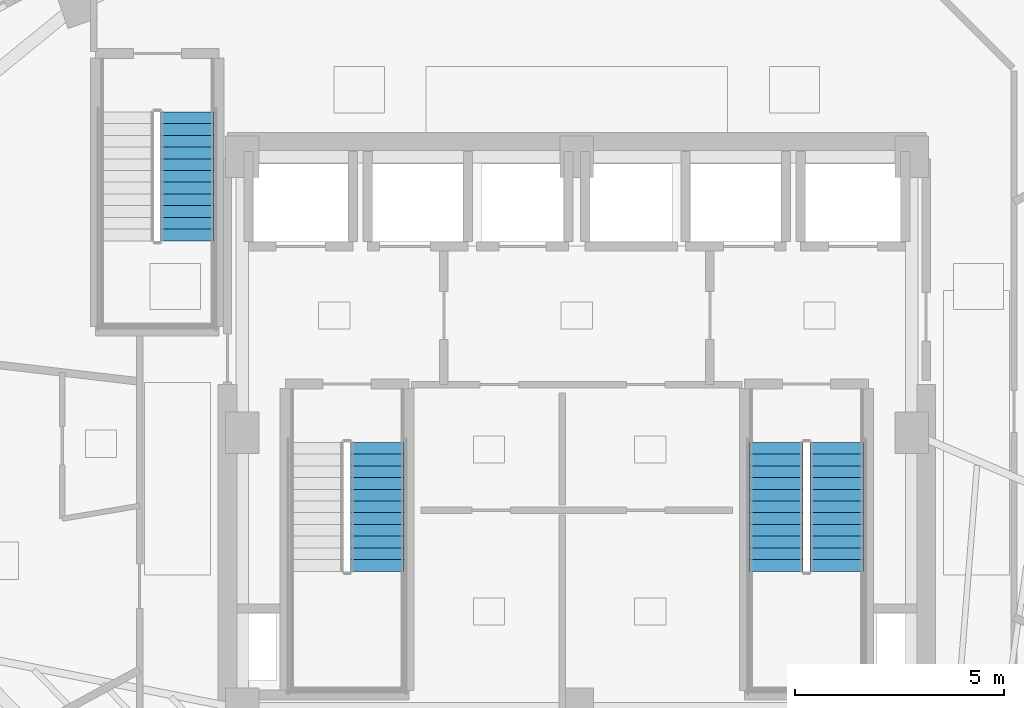
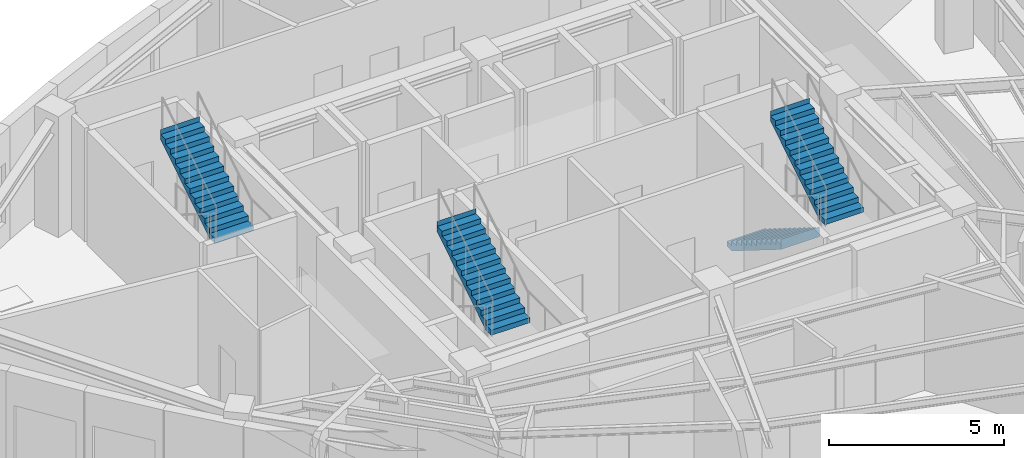
# One storey, part 6 of 9: 4 stair flights, 3 elements without a shape of their own.
"""IFC4 building model written with IfcOpenShell, lengths in metres."""

import ifcopenshell
import ifcopenshell.guid

model = None  # the IFC model being written
_history = None  # IfcOwnerHistory: only IFC2X3 demands one
_inside = {}  # id of a spatial element -> (the spatial element, [elements in it])
_under = {}  # id of a project, library or spatial element -> (it, [spatial elements below it])
_declared = {}  # id of a project -> (the project, [libraries it declares])
_typed = {}  # id of a type object -> (the type object, [elements of that type])
_made_of = {}  # id of a material, layer set ... -> (it, [elements and type objects made of it])


def new_model(schema):
    """Start an empty IFC model of exactly this schema.

    Asked for "IFC4X3", IfcOpenShell would pick the latest addendum, in which some entities
    have other attributes; the version numbers below select the first issue.
    IFC2X3 requires an IfcOwnerHistory on every rooted entity: one is made here for all.
    """
    global model, _history
    if schema == "IFC4X3":
        model = ifcopenshell.file(schema_version=(4, 3, 0, 0))
    else:
        model = ifcopenshell.file(schema=schema)
    _inside.clear()
    _under.clear()
    _declared.clear()
    _typed.clear()
    _made_of.clear()
    _history = None
    if model.schema == "IFC2X3":
        org = make("IfcOrganization", Name="unknown")
        user = make(
            "IfcPersonAndOrganization",
            ThePerson=make("IfcPerson", FamilyName="unknown"),
            TheOrganization=org,
        )
        app = make(
            "IfcApplication",
            ApplicationDeveloper=org,
            Version="unknown",
            ApplicationFullName="unknown",
            ApplicationIdentifier="unknown",
        )
        _history = make(
            "IfcOwnerHistory",
            OwningUser=user,
            OwningApplication=app,
            ChangeAction="ADDED",
            CreationDate=0,
        )
    return model


def make(cls, **values):
    """One entity of the class cls with the attributes given. An attribute that is None is left unset."""
    return model.create_entity(
        cls, **{name: value for name, value in values.items() if value is not None}
    )


def rooted(cls, **values):
    """An entity with a GlobalId (a new one), such as an element, a storey or a relation."""
    return make(cls, GlobalId=ifcopenshell.guid.new(), OwnerHistory=_history, **values)


def si_unit(unit_type, name, prefix=None):
    """IfcSIUnit, for example si_unit("LENGTHUNIT", "METRE", prefix="MILLI")."""
    return make("IfcSIUnit", UnitType=unit_type, Prefix=prefix, Name=name)


def assignment(units):
    """IfcUnitAssignment: the units of a project."""
    return None if units is None else make("IfcUnitAssignment", Units=units)


def point(xyz):
    """IfcCartesianPoint."""
    return None if xyz is None else make("IfcCartesianPoint", Coordinates=xyz)


def direction(xyz):
    """IfcDirection."""
    return None if xyz is None else make("IfcDirection", DirectionRatios=xyz)


def frame(location, z_axis=None, x_axis=None):
    """IfcAxis2Placement3D, a coordinate frame: its origin and axes. An axis left out is left unset."""
    return make(
        "IfcAxis2Placement3D",
        Location=point(location),
        Axis=direction(z_axis),
        RefDirection=direction(x_axis),
    )


def origin():
    """The frame at (0, 0, 0) with its axes left unset."""
    return frame((0.0, 0.0, 0.0))


def place(relative_to, where):
    """IfcLocalPlacement: puts the frame where relative to a parent placement (None: the world)."""
    return make(
        "IfcLocalPlacement", PlacementRelTo=relative_to, RelativePlacement=where
    )


def context(
    kind, dimensions, precision=None, world=None, true_north=None, identifier=None
):
    """IfcGeometricRepresentationContext, for example the 3D "Model" context."""
    return make(
        "IfcGeometricRepresentationContext",
        ContextIdentifier=identifier,
        ContextType=kind,
        CoordinateSpaceDimension=dimensions,
        Precision=precision,
        WorldCoordinateSystem=world,
        TrueNorth=true_north,
    )


def subcontext(parent, identifier, kind, view, scale=None):
    """IfcGeometricRepresentationSubContext, for example "Body" below "Model"."""
    return make(
        "IfcGeometricRepresentationSubContext",
        ContextIdentifier=identifier,
        ContextType=kind,
        ParentContext=parent,
        TargetScale=scale,
        TargetView=view,
    )


def project(units=None, contexts=None):
    """IfcProject with its units and contexts."""
    return rooted(
        "IfcProject",
        Name="project",
        RepresentationContexts=contexts,
        UnitsInContext=assignment(units),
    )


def spatial(cls, under=None, at=None, **own):
    """A site, building, storey or space (cls), placed at a placement, below another one or the project."""
    s = rooted(cls, ObjectPlacement=at, **own)
    if under is not None:
        _under.setdefault(under.id(), (under, []))[1].append(s)
    return s


def polyline(points):
    """IfcPolyline through the points."""
    return make("IfcPolyline", Points=[point(p) for p in points])


def outline(outer, holes=None, kind="AREA"):
    """IfcArbitraryClosedProfileDef: a profile drawn as a closed curve; with holes, ...WithVoids."""
    if holes is None:
        return make("IfcArbitraryClosedProfileDef", ProfileType=kind, OuterCurve=outer)
    return make(
        "IfcArbitraryProfileDefWithVoids",
        ProfileType=kind,
        OuterCurve=outer,
        InnerCurves=holes,
    )


def extrude(swept, where, along, depth):
    """IfcExtrudedAreaSolid: the profile swept, set in the frame where, extruded along a direction by depth."""
    return make(
        "IfcExtrudedAreaSolid",
        SweptArea=swept,
        Position=where,
        ExtrudedDirection=direction(along),
        Depth=depth,
    )


def shape(context_of_items, identifier, shape_type, items):
    """IfcShapeRepresentation: the items that make up one representation, for example the "Body"."""
    return make(
        "IfcShapeRepresentation",
        ContextOfItems=context_of_items,
        RepresentationIdentifier=identifier,
        RepresentationType=shape_type,
        Items=items,
    )


def material(Name=None, Category=None):
    """IfcMaterial."""
    return make("IfcMaterial", Name=Name, Category=Category)


def made_of(thing, what):
    """Note that an element or type object is made of a material, layer set ...; save() writes the relation."""
    if what is not None:
        _made_of.setdefault(what.id(), (what, []))[1].append(thing)
    return thing


def type_object(cls, material=None, **own):
    """A type object (cls), such as IfcWallType, which elements share."""
    return made_of(rooted(cls, **own), material)


def element(
    cls,
    number,
    at=None,
    inside=None,
    cuts=None,
    type_object=None,
    material=None,
    context=None,
    identifier="Body",
    shape_type=None,
    held_by="IfcProductDefinitionShape",
    body=None,
    shapes=None,
    **own,
):
    """One element of the class cls, such as IfcWall. Its Tag is "e" and its number.

    at: its placement. inside: the storey or other place that contains it. cuts: it is an
    opening in that element (IfcRelVoidsElement). A single representation is given by context,
    identifier, shape_type and body (its items); several are given by shapes. held_by: the class
    of the entity that holds the representations. save() writes the other relations.
    """
    e = rooted(cls, Tag="e%d" % number, ObjectPlacement=at, **own)
    if body is not None:
        shapes = [shape(context, identifier, shape_type, body)]
    if shapes is not None:
        e.Representation = make(held_by, Representations=shapes)
    if inside is not None:
        _inside.setdefault(inside.id(), (inside, []))[1].append(e)
    if cuts is not None:
        rooted(
            "IfcRelVoidsElement", RelatingBuildingElement=cuts, RelatedOpeningElement=e
        )
    if type_object is not None:
        _typed.setdefault(type_object.id(), (type_object, []))[1].append(e)
    return made_of(e, material)


def aggregate(whole, parts):
    """IfcRelAggregates: a whole, such as a stair, and the parts it consists of."""
    return rooted("IfcRelAggregates", RelatingObject=whole, RelatedObjects=parts)


def save(model, path):
    """Write the relations noted so far, then the file.

    IfcRelAggregates (storeys below a building ...), IfcRelContainedInSpatialStructure (elements
    in a storey), IfcRelDefinesByType, IfcRelAssociatesMaterial and IfcRelDeclares: one each for
    every whole, place, type object, material and project.
    """
    for whole, parts in _under.values():
        aggregate(whole, parts)
    for where, things in _inside.values():
        rooted(
            "IfcRelContainedInSpatialStructure",
            RelatedElements=things,
            RelatingStructure=where,
        )
    for kind, things in _typed.values():
        rooted("IfcRelDefinesByType", RelatedObjects=things, RelatingType=kind)
    for what, things in _made_of.values():
        rooted("IfcRelAssociatesMaterial", RelatedObjects=things, RelatingMaterial=what)
    for by, libraries in _declared.values():
        rooted("IfcRelDeclares", RelatingContext=by, RelatedDefinitions=libraries)
    model.write(path)


model = new_model("IFC4")

# Units and contexts
model_context = context("Model", 3, precision=1e-05, world=origin(), true_north=direction((0.0, 1.0)))
body_context = subcontext(model_context, "Body", "Model", "MODEL_VIEW")
ifc_project = project(units=[si_unit("LENGTHUNIT", "METRE"), si_unit("AREAUNIT", "SQUARE_METRE"), si_unit("VOLUMEUNIT", "CUBIC_METRE"), si_unit("PLANEANGLEUNIT", "RADIAN"), si_unit("MASSUNIT", "GRAM", prefix="KILO")], contexts=[model_context])

# Site, building, storey
site_placement = place(None, origin())
site = spatial("IfcSite", under=ifc_project, at=site_placement, CompositionType="ELEMENT")
building_placement = place(site_placement, origin())
building = spatial("IfcBuilding", under=site, at=building_placement, Name="Ndelora Gate Hotel", CompositionType="ELEMENT")
storey_placement = place(building_placement, frame((0.0, 0.0, 264.39990234375)))
storey = spatial("IfcBuildingStorey", under=building, at=storey_placement, Name="L66", CompositionType="ELEMENT", Elevation=264.39990234375)

# Stair, stair flight
ifc_material = material(Name="Precast concrete C40/50", Category="concrete")
stair_type = type_object("IfcStairType", Name="STR-DOG-CORE", PredefinedType="HALF_TURN_STAIR", material=ifc_material)
stair_1_placement = place(storey_placement, origin())
stair_1 = element("IfcStair", 1, at=stair_1_placement, inside=storey, type_object=stair_type, Name="L66 Protected Core Exit Stair ST4", PredefinedType="HALF_TURN_STAIR")
stair_flight_type = type_object("IfcStairFlightType", Name="STF-PRECAST", PredefinedType="STRAIGHT", material=ifc_material)
stair_flight_1_placement = place(storey_placement, frame((-4.77001953125, -3.31005859375, 2.10009765625), z_axis=(0.0, 0.0, 1.0), x_axis=(0.0, 1.0, 0.0)))
stair_flight_1 = element("IfcStairFlight", 2, at=stair_flight_1_placement, type_object=stair_flight_type, Name="ST4 flight 2", NumberOfRisers=12, NumberOfTreads=11, PredefinedType="STRAIGHT", RiserHeight=0.175, TreadLength=0.28, context=body_context, shape_type="SweptSolid", body=[
    extrude(outline(polyline([(-0.00048828125, 0.0), (-0.00048828125, 0.175048828125), (0.0, 0.175048828125), (0.280029296875, 0.175048828125), (0.280029296875, 0.35009765625), (0.56005859375, 0.35009765625), (0.56005859375, 0.52490234375), (0.840087890625, 0.52490234375), (0.840087890625, 0.699951171875), (1.1201171875, 0.699951171875), (1.1201171875, 0.875), (1.39990234375, 0.875), (1.39990234375, 1.050048828125), (1.679931640625, 1.050048828125), (1.679931640625, 1.22509765625), (1.9599609375, 1.22509765625), (1.9599609375, 1.39990234375), (2.239990234375, 1.39990234375), (2.239990234375, 1.574951171875), (2.52001953125, 1.574951171875), (2.52001953125, 1.75), (2.800048828125, 1.75), (2.800048828125, 1.925048828125), (3.080078125, 1.925048828125), (3.080078125, 2.10009765625), (3.08056640625, 2.10009765625), (3.08056640625, 1.919921875), (3.080078125, 1.748291015625), (0.28271484375, 0.0), (-0.00048828125, 0.0)])), frame((0.0, 0.64013671875, 0.0), z_axis=(0.0, -1.0, 0.0), x_axis=(1.0, 0.0, 0.0)), (0.0, 0.0, 1.0), 1.280029296875),
])
aggregate(stair_1, [stair_flight_1])

# Stair, stair flights
stair_2_placement = place(storey_placement, origin())
stair_2 = element("IfcStair", 3, at=stair_2_placement, inside=storey, type_object=stair_type, Name="L66 Protected Core Exit Stair ST5", PredefinedType="HALF_TURN_STAIR")
stair_flight_2_placement = place(storey_placement, frame((4.77001953125, -0.22998046875, 0.0), z_axis=(0.0, 0.0, 1.0), x_axis=(0.0, -1.0, 0.0)))
stair_flight_2 = element("IfcStairFlight", 4, at=stair_flight_2_placement, type_object=stair_flight_type, Name="ST5 flight 1", NumberOfRisers=12, NumberOfTreads=11, PredefinedType="STRAIGHT", RiserHeight=0.175, TreadLength=0.28, context=body_context, shape_type="SweptSolid", body=[
    extrude(outline(polyline([(-0.00048828125, 0.0), (-0.00048828125, 0.175048828125), (0.0, 0.175048828125), (0.280029296875, 0.175048828125), (0.280029296875, 0.35009765625), (0.56005859375, 0.35009765625), (0.56005859375, 0.52490234375), (0.840087890625, 0.52490234375), (0.840087890625, 0.699951171875), (1.1201171875, 0.699951171875), (1.1201171875, 0.875), (1.39990234375, 0.875), (1.39990234375, 1.050048828125), (1.679931640625, 1.050048828125), (1.679931640625, 1.22509765625), (1.9599609375, 1.22509765625), (1.9599609375, 1.39990234375), (2.239990234375, 1.39990234375), (2.239990234375, 1.574951171875), (2.52001953125, 1.574951171875), (2.52001953125, 1.75), (2.800048828125, 1.75), (2.800048828125, 1.925048828125), (3.080078125, 1.925048828125), (3.080078125, 2.10009765625), (3.08056640625, 2.10009765625), (3.08056640625, 1.919921875), (3.080078125, 1.748291015625), (0.28271484375, 0.0), (-0.00048828125, 0.0)])), frame((0.0, 0.64013671875, 0.0), z_axis=(0.0, -1.0, 0.0), x_axis=(1.0, 0.0, 0.0)), (0.0, 0.0, 1.0), 1.280029296875),
])
stair_flight_3_placement = place(storey_placement, frame((6.2099609375, -3.31005859375, 2.10009765625), z_axis=(0.0, 0.0, 1.0), x_axis=(0.0, 1.0, 0.0)))
stair_flight_3 = element("IfcStairFlight", 5, at=stair_flight_3_placement, type_object=stair_flight_type, Name="ST5 flight 2", NumberOfRisers=12, NumberOfTreads=11, PredefinedType="STRAIGHT", RiserHeight=0.175, TreadLength=0.28, context=body_context, shape_type="SweptSolid", body=[
    extrude(outline(polyline([(-0.00048828125, 0.0), (-0.00048828125, 0.175048828125), (0.0, 0.175048828125), (0.280029296875, 0.175048828125), (0.280029296875, 0.35009765625), (0.56005859375, 0.35009765625), (0.56005859375, 0.52490234375), (0.840087890625, 0.52490234375), (0.840087890625, 0.699951171875), (1.1201171875, 0.699951171875), (1.1201171875, 0.875), (1.39990234375, 0.875), (1.39990234375, 1.050048828125), (1.679931640625, 1.050048828125), (1.679931640625, 1.22509765625), (1.9599609375, 1.22509765625), (1.9599609375, 1.39990234375), (2.239990234375, 1.39990234375), (2.239990234375, 1.574951171875), (2.52001953125, 1.574951171875), (2.52001953125, 1.75), (2.800048828125, 1.75), (2.800048828125, 1.925048828125), (3.080078125, 1.925048828125), (3.080078125, 2.10009765625), (3.08056640625, 2.10009765625), (3.08056640625, 1.919921875), (3.080078125, 1.748291015625), (0.28271484375, 0.0), (-0.00048828125, 0.0)])), frame((0.0, 0.64013671875, 0.0), z_axis=(0.0, -1.0, 0.0), x_axis=(1.0, 0.0, 0.0)), (0.0, 0.0, 1.0), 1.280029296875),
])
aggregate(stair_2, [stair_flight_2, stair_flight_3])

# Stair, stair flight
stair_3_placement = place(storey_placement, origin())
stair_3 = element("IfcStair", 6, at=stair_3_placement, inside=storey, type_object=stair_type, Name="L66 Crown Observation Exit Stair ST6", PredefinedType="HALF_TURN_STAIR")
stair_flight_4_placement = place(storey_placement, frame((-9.31005859375, 4.590087890625, 2.10009765625), z_axis=(0.0, 0.0, 1.0), x_axis=(0.0, 1.0, 0.0)))
stair_flight_4 = element("IfcStairFlight", 7, at=stair_flight_4_placement, type_object=stair_flight_type, Name="ST6 flight 2", NumberOfRisers=12, NumberOfTreads=11, PredefinedType="STRAIGHT", RiserHeight=0.175, TreadLength=0.28, context=body_context, shape_type="SweptSolid", body=[
    extrude(outline(polyline([(-0.00048828125, 0.0), (-0.00048828125, 0.175048828125), (0.0, 0.175048828125), (0.280029296875, 0.175048828125), (0.280029296875, 0.35009765625), (0.56005859375, 0.35009765625), (0.56005859375, 0.52490234375), (0.840087890625, 0.52490234375), (0.840087890625, 0.699951171875), (1.1201171875, 0.699951171875), (1.1201171875, 0.875), (1.39990234375, 0.875), (1.39990234375, 1.050048828125), (1.679931640625, 1.050048828125), (1.679931640625, 1.22509765625), (1.9599609375, 1.22509765625), (1.9599609375, 1.39990234375), (2.239990234375, 1.39990234375), (2.239990234375, 1.574951171875), (2.52001953125, 1.574951171875), (2.52001953125, 1.75), (2.800048828125, 1.75), (2.800048828125, 1.925048828125), (3.080078125, 1.925048828125), (3.080078125, 2.10009765625), (3.08056640625, 2.10009765625), (3.08056640625, 1.919921875), (3.080078125, 1.748291015625), (0.28271484375, 0.0), (-0.00048828125, 0.0)])), frame((0.0, 0.64013671875, 0.0), z_axis=(0.0, -1.0, 0.0), x_axis=(1.0, 0.0, 0.0)), (0.0, 0.0, 1.0), 1.280029296875),
])
aggregate(stair_3, [stair_flight_4])

save(model, "model.ifc")
